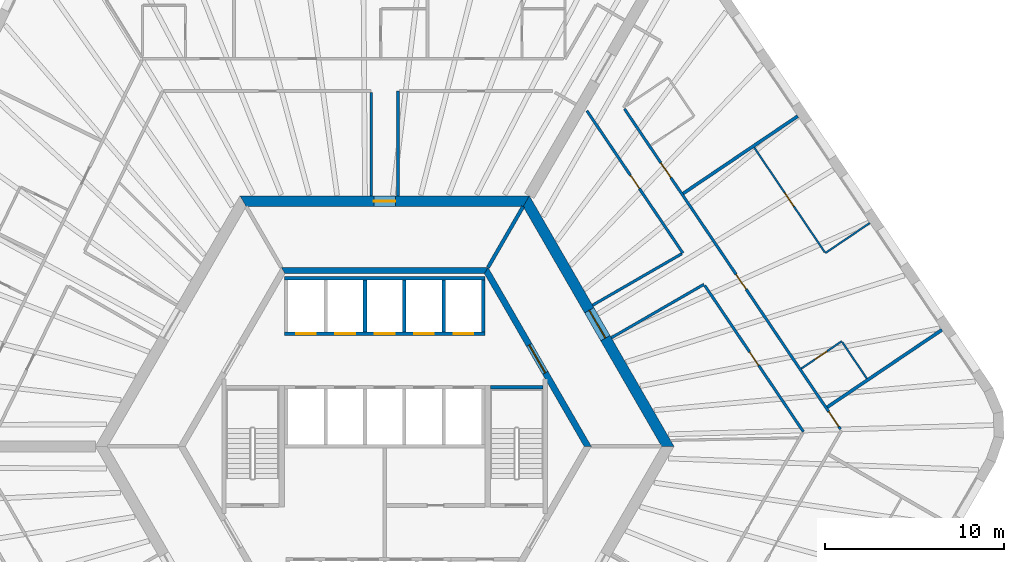
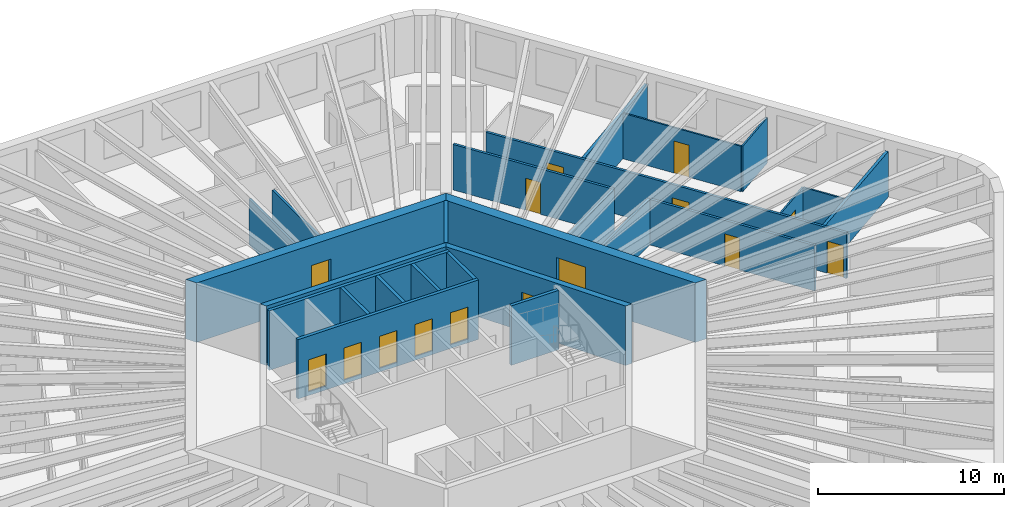
# One storey, part 9 of 12: 25 walls, 15 doors, 15 openings.
"""IFC4 building model written with IfcOpenShell, lengths in metres."""

from ifc_helpers import new_model, si_unit, direction, frame, frame_2d, origin, place, context, subcontext, project, spatial, polyline, rectangle, outline, extrude, material, layer, layer_set, type_object, element, fill, save


model = new_model("IFC4")

# Units and contexts
model_context = context("Model", 3, precision=1e-05, world=origin(), true_north=direction((0.0, 1.0)))
body_context = subcontext(model_context, "Body", "Model", "MODEL_VIEW")
ifc_project = project(units=[si_unit("LENGTHUNIT", "METRE"), si_unit("AREAUNIT", "SQUARE_METRE"), si_unit("VOLUMEUNIT", "CUBIC_METRE"), si_unit("PLANEANGLEUNIT", "RADIAN"), si_unit("MASSUNIT", "GRAM", prefix="KILO")], contexts=[model_context])

# Site, building, storey
site_placement = place(None, origin())
site = spatial("IfcSite", under=ifc_project, at=site_placement, CompositionType="ELEMENT")
building_placement = place(site_placement, origin())
building = spatial("IfcBuilding", under=site, at=building_placement, Name="Tarnside Tower", CompositionType="ELEMENT")
storey_placement = place(building_placement, frame((0.0, 0.0, 88.199951171875)))
storey = spatial("IfcBuildingStorey", under=building, at=storey_placement, Name="L19", CompositionType="ELEMENT", Elevation=88.199951171875)

# Wall, opening, door
ifc_material_1 = material(Name="Gypsum board partition on steel studs", Category="steel")
ifc_layer_1 = layer(ifc_material_1, 0.10009765625)
ifc_layer_set_1 = layer_set([ifc_layer_1], Name="Bathroom wall 100")
wall_type_1 = type_object("IfcWallType", Name="Bathroom wall 100", PredefinedType="PARTITIONING", material=ifc_layer_set_1)
wall_1_placement = place(storey_placement, frame((23.2734375, 4.34619140625, 0.0), z_axis=(0.0, 0.0, 1.0), x_axis=(0.829005477618, 0.559240483226, 0.0)))
wall_1 = element("IfcWall", 1, at=wall_1_placement, inside=storey, type_object=wall_type_1, Name="Bathroom wall 05150", PredefinedType="PARTITIONING", context=body_context, shape_type="SweptSolid", body=[
    extrude(rectangle(XDim=2.72509765625, YDim=0.10009765625, at=frame_2d((1.362548828125, 0.0))), origin(), (0.0, 0.0, 1.0), 2.98779296875),
])
opening_1_placement = place(wall_1_placement, frame((0.925048828125, 0.0, 0.0)))
opening_1 = element("IfcOpeningElement", 2, at=opening_1_placement, cuts=wall_1, Name="Opening D-B1", PredefinedType="OPENING", context=body_context, shape_type="SweptSolid", body=[
    extrude(rectangle(XDim=0.800048828125, YDim=2.10009765625, at=frame_2d((0.39990234375, 1.050048828125))), frame((0.0, 0.06005859375, 0.0), z_axis=(0.0, -1.0, 0.0), x_axis=(1.0, 0.0, 0.0)), (0.0, 0.0, 1.0), 0.1201171875),
])
ifc_material_2 = material(Name="Timber door leaf", Category="wood")
door_type_1 = type_object("IfcDoorType", Name="Bathroom door 800", OperationType="NOTDEFINED", PredefinedType="DOOR", material=ifc_material_2)
door_1_placement = place(opening_1_placement, origin())
door_1 = element("IfcDoor", 3, at=door_1_placement, inside=storey, type_object=door_type_1, Name="Bathroom door 05037", OperationType="SINGLE_SWING_RIGHT", OverallHeight=2.10009765625, OverallWidth=0.800048828125, PredefinedType="DOOR", context=body_context, shape_type="SweptSolid", body=[
    extrude(rectangle(XDim=0.800048828125, YDim=2.10009765625, at=frame_2d((0.39990234375, 1.050048828125))), frame((0.0, 0.02490234375, 0.0), z_axis=(0.0, -1.0, 0.0), x_axis=(1.0, 0.0, 0.0)), (0.0, 0.0, 1.0), 0.050048828125),
])
fill(opening_1, door_1)

# Wall
wall_2_placement = place(storey_placement, frame((25.560546875, 5.82861328125, 0.0), z_axis=(0.0, 0.0, 1.0), x_axis=(0.559249542518, -0.82899936622, 0.0)))
element("IfcWall", 4, at=wall_2_placement, inside=storey, type_object=wall_type_1, Name="Bathroom wall 05151", PredefinedType="PARTITIONING", context=body_context, shape_type="SweptSolid", body=[
    extrude(rectangle(XDim=2.4599609375, YDim=0.10009765625, at=frame_2d((1.22998046875, 0.0))), origin(), (0.0, 0.0, 1.0), 2.98779296875),
])

# Wall, opening, door
ifc_material_3 = material(Name="Concrete C50/60", Category="concrete")
ifc_layer_2 = layer(ifc_material_3, 0.35009765625)
ifc_layer_set_2 = layer_set([ifc_layer_2], Name="Core block wall 350 C50/60")
wall_type_2 = type_object("IfcWallType", Name="Core block wall 350 C50/60", PredefinedType="SHEAR", material=ifc_layer_set_2)
wall_3_placement = place(storey_placement, frame((11.344970703125, 0.0, -0.14990234375), z_axis=(0.0, 0.0, 1.0), x_axis=(-0.499995046907, 0.866028263435, 0.0)))
wall_3 = element("IfcWall", 5, at=wall_3_placement, inside=storey, type_object=wall_type_2, Name="L19 core block wall face 6", PredefinedType="SHEAR", context=body_context, shape_type="SweptSolid", body=[
    extrude(outline(polyline([(-0.10107421875, -0.175048828125), (11.44580078125, -0.175048828125), (11.24365234375, 0.175048828125), (0.10107421875, 0.175048828125), (-0.10107421875, -0.175048828125)])), origin(), (0.0, 0.0, 1.0), 3.89990234375),
])
opening_2_placement = place(wall_3_placement, frame((4.74365234375, 0.0, 0.14990234375)))
opening_2 = element("IfcOpeningElement", 6, at=opening_2_placement, cuts=wall_3, Name="Opening CD-LOB", PredefinedType="OPENING", context=body_context, shape_type="SweptSolid", body=[
    extrude(rectangle(XDim=1.800048828125, YDim=2.39990234375, at=frame_2d((0.89990234375, 1.199951171875))), frame((0.0, 0.18505859375, 0.0), z_axis=(0.0, -1.0, 0.0), x_axis=(1.0, 0.0, 0.0)), (0.0, 0.0, 1.0), 0.3701171875),
])
ifc_material_4 = material(Name="Steel fire door", Category="steel")
door_type_2 = type_object("IfcDoorType", Name="Lobby double door FD30S 1800x2400", OperationType="NOTDEFINED", PredefinedType="DOOR", material=ifc_material_4)
door_2_placement = place(opening_2_placement, origin())
door_2 = element("IfcDoor", 7, at=door_2_placement, inside=storey, type_object=door_type_2, Name="L19 lobby block door P2", OperationType="DOUBLE_DOOR_SINGLE_SWING", OverallHeight=2.39990234375, OverallWidth=1.800048828125, PredefinedType="DOOR", context=body_context, shape_type="SweptSolid", body=[
    extrude(rectangle(XDim=1.800048828125, YDim=2.39990234375, at=frame_2d((0.89990234375, 1.199951171875))), frame((0.0, 0.02490234375, 0.0), z_axis=(0.0, -1.0, 0.0), x_axis=(1.0, 0.0, 0.0)), (0.0, 0.0, 1.0), 0.050048828125),
])
fill(opening_2, door_2)

# Wall
wall_4_placement = place(storey_placement, frame((5.672607421875, 9.824951171875, -0.14990234375), z_axis=(0.0, 0.0, 1.0), x_axis=(-1.0, 0.0, 0.0)))
element("IfcWall", 8, at=wall_4_placement, inside=storey, type_object=wall_type_2, Name="L19 core block wall face 1", PredefinedType="SHEAR", context=body_context, shape_type="SweptSolid", body=[
    extrude(outline(polyline([(-0.10107421875, -0.175048828125), (11.4462890625, -0.175048828125), (11.244140625, 0.175048828125), (0.10107421875, 0.175048828125), (-0.10107421875, -0.175048828125)])), origin(), (0.0, 0.0, 1.0), 3.89990234375),
])

# Wall, opening, door
ifc_material_5 = material(Name="Concrete C80/95", Category="concrete")
ifc_layer_3 = layer(ifc_material_5, 0.60009765625)
ifc_layer_set_3 = layer_set([ifc_layer_3], Name="Core wall Z1 600 C80/95")
wall_type_3 = type_object("IfcWallType", Name="Core wall Z1 600 C80/95", PredefinedType="SHEAR", material=ifc_layer_set_3)
wall_5_placement = place(storey_placement, frame((15.8193359375, 0.0, -0.14990234375), z_axis=(0.0, 0.0, 1.0), x_axis=(-0.499999880136, 0.866025472988, 0.0)))
wall_5 = element("IfcWall", 9, at=wall_5_placement, inside=storey, type_object=wall_type_3, Name="L19 core wall face 6", PredefinedType="SHEAR", context=body_context, shape_type="SweptSolid", body=[
    extrude(outline(polyline([(-0.17333984375, -0.300048828125), (15.99267578125, -0.300048828125), (15.64599609375, 0.300048828125), (0.17333984375, 0.300048828125), (-0.17333984375, -0.300048828125)])), origin(), (0.0, 0.0, 1.0), 3.89990234375),
])
opening_3_placement = place(wall_5_placement, frame((6.980712890625, 0.0, 0.14990234375)))
opening_3 = element("IfcOpeningElement", 10, at=opening_3_placement, cuts=wall_5, Name="Opening CD-LOB", PredefinedType="OPENING", context=body_context, shape_type="SweptSolid", body=[
    extrude(rectangle(XDim=1.800048828125, YDim=2.39990234375, at=frame_2d((0.89990234375, 1.199951171875))), frame((0.0, 0.31005859375, 0.0), z_axis=(0.0, -1.0, 0.0), x_axis=(1.0, 0.0, 0.0)), (0.0, 0.0, 1.0), 0.6201171875),
])
door_3_placement = place(opening_3_placement, origin())
door_3 = element("IfcDoor", 11, at=door_3_placement, inside=storey, type_object=door_type_2, Name="L19 core door P2", OperationType="DOUBLE_DOOR_SINGLE_SWING", OverallHeight=2.39990234375, OverallWidth=1.800048828125, PredefinedType="DOOR", context=body_context, shape_type="SweptSolid", body=[
    extrude(rectangle(XDim=1.800048828125, YDim=2.39990234375, at=frame_2d((0.89990234375, 1.199951171875))), frame((0.0, 0.02490234375, 0.0), z_axis=(0.0, -1.0, 0.0), x_axis=(1.0, 0.0, 0.0)), (0.0, 0.0, 1.0), 0.050048828125),
])
fill(opening_3, door_3)

wall_6_placement = place(storey_placement, frame((7.90966796875, 13.699951171875, -0.14990234375), z_axis=(0.0, 0.0, 1.0), x_axis=(-1.0, 0.0, 0.0)))
wall_6 = element("IfcWall", 12, at=wall_6_placement, inside=storey, type_object=wall_type_3, Name="L19 core wall face 1", PredefinedType="SHEAR", context=body_context, shape_type="SweptSolid", body=[
    extrude(outline(polyline([(-0.17333984375, -0.300048828125), (15.99267578125, -0.300048828125), (15.64599609375, 0.300048828125), (0.17333984375, 0.300048828125), (-0.17333984375, -0.300048828125)])), origin(), (0.0, 0.0, 1.0), 3.89990234375),
])
opening_4_placement = place(wall_6_placement, frame((7.309814453125, 0.0, 0.14990234375)))
opening_4 = element("IfcOpeningElement", 13, at=opening_4_placement, cuts=wall_6, Name="Opening CD-RSR", PredefinedType="OPENING", context=body_context, shape_type="SweptSolid", body=[
    extrude(rectangle(XDim=1.199951171875, YDim=2.39990234375, at=frame_2d((0.60009765625, 1.199951171875))), frame((0.0, 0.31005859375, 0.0), z_axis=(0.0, -1.0, 0.0), x_axis=(1.0, 0.0, 0.0)), (0.0, 0.0, 1.0), 0.6201171875),
])
door_type_3 = type_object("IfcDoorType", Name="Riser door FD60 1200x2400", OperationType="NOTDEFINED", PredefinedType="DOOR", material=ifc_material_4)
door_4_placement = place(opening_4_placement, origin())
door_4 = element("IfcDoor", 14, at=door_4_placement, inside=storey, type_object=door_type_3, Name="L19 core door S5", OperationType="SINGLE_SWING_LEFT", OverallHeight=2.39990234375, OverallWidth=1.199951171875, PredefinedType="DOOR", context=body_context, shape_type="SweptSolid", body=[
    extrude(rectangle(XDim=1.199951171875, YDim=2.39990234375, at=frame_2d((0.60009765625, 1.199951171875))), frame((0.0, 0.02490234375, 0.0), z_axis=(0.0, -1.0, 0.0), x_axis=(1.0, 0.0, 0.0)), (0.0, 0.0, 1.0), 0.050048828125),
])
fill(opening_4, door_4)

# Walls
ifc_layer_4 = layer(ifc_material_1, 0.14990234375)
ifc_layer_set_4 = layer_set([ifc_layer_4], Name="Corridor wall 150 EI 60")
wall_type_4 = type_object("IfcWallType", Name="Corridor wall 150 EI 60", PredefinedType="PARTITIONING", material=ifc_layer_set_4)
wall_7_placement = place(storey_placement, frame((-0.75, 19.77490234375, 0.0), z_axis=(0.0, 0.0, 1.0), x_axis=(0.0, -1.0, 0.0)))
element("IfcWall", 15, at=wall_7_placement, inside=storey, type_object=wall_type_4, Name="Corridor wall 05019", PredefinedType="PARTITIONING", context=body_context, shape_type="SweptSolid", body=[
    extrude(rectangle(XDim=5.77490234375, YDim=0.14990234375, at=frame_2d((2.887451171875, 0.0))), origin(), (0.0, 0.0, 1.0), 2.98779296875),
])
wall_8_placement = place(storey_placement, frame((0.75, 14.0, 0.0), z_axis=(0.0, 0.0, 1.0), x_axis=(0.0, 1.0, 0.0)))
element("IfcWall", 16, at=wall_8_placement, inside=storey, type_object=wall_type_4, Name="Corridor wall 05022", PredefinedType="PARTITIONING", context=body_context, shape_type="SweptSolid", body=[
    extrude(rectangle(XDim=5.85009765625, YDim=0.14990234375, at=frame_2d((2.925048828125, 0.0))), origin(), (0.0, 0.0, 1.0), 2.98779296875),
])

# Wall, openings, doors
wall_9_placement = place(storey_placement, frame((25.467041015625, 0.960205078125, 0.0), z_axis=(0.0, 0.0, 1.0), x_axis=(-0.559192112521, 0.829038106057, 0.0)))
wall_9 = element("IfcWall", 17, at=wall_9_placement, inside=storey, type_object=wall_type_4, Name="Corridor wall 05062", PredefinedType="PARTITIONING", context=body_context, shape_type="SweptSolid", body=[
    extrude(rectangle(XDim=21.58447265625, YDim=0.14990234375, at=frame_2d((10.792236328125, 0.0))), origin(), (0.0, 0.0, 1.0), 2.98779296875),
])
opening_5_placement = place(wall_9_placement, frame((0.183837890625, 0.0, 0.0)))
opening_5 = element("IfcOpeningElement", 18, at=opening_5_placement, cuts=wall_9, Name="Opening D-E1", PredefinedType="OPENING", context=body_context, shape_type="SweptSolid", body=[
    extrude(rectangle(XDim=1.0, YDim=2.10009765625, at=frame_2d((0.5, 1.050048828125))), frame((0.0, 0.0849609375, 0.0), z_axis=(0.0, -1.0, 0.0), x_axis=(1.0, 0.0, 0.0)), (0.0, 0.0, 1.0), 0.169921875),
])
opening_6_placement = place(wall_9_placement, frame((9.433837890625, 0.0, 0.0)))
opening_6 = element("IfcOpeningElement", 19, at=opening_6_placement, cuts=wall_9, Name="Opening D-E1", PredefinedType="OPENING", context=body_context, shape_type="SweptSolid", body=[
    extrude(rectangle(XDim=1.0, YDim=2.10009765625, at=frame_2d((0.5, 1.050048828125))), frame((0.0, 0.0849609375, 0.0), z_axis=(0.0, -1.0, 0.0), x_axis=(1.0, 0.0, 0.0)), (0.0, 0.0, 1.0), 0.169921875),
])
opening_7_placement = place(wall_9_placement, frame((16.950927734375, 0.0, 0.0)))
opening_7 = element("IfcOpeningElement", 20, at=opening_7_placement, cuts=wall_9, Name="Opening D-E1", PredefinedType="OPENING", context=body_context, shape_type="SweptSolid", body=[
    extrude(rectangle(XDim=1.0, YDim=2.10009765625, at=frame_2d((0.5, 1.050048828125))), frame((0.0, 0.0849609375, 0.0), z_axis=(0.0, -1.0, 0.0), x_axis=(1.0, 0.0, 0.0)), (0.0, 0.0, 1.0), 0.169921875),
])
door_type_4 = type_object("IfcDoorType", Name="Unit entrance door 1000 FD30S", OperationType="NOTDEFINED", PredefinedType="DOOR", material=ifc_material_2)
door_5_placement = place(opening_5_placement, origin())
door_5 = element("IfcDoor", 21, at=door_5_placement, inside=storey, type_object=door_type_4, Name="Unit door 05035", OperationType="SINGLE_SWING_RIGHT", OverallHeight=2.10009765625, OverallWidth=1.0, PredefinedType="DOOR", context=body_context, shape_type="SweptSolid", body=[
    extrude(rectangle(XDim=1.0, YDim=2.10009765625, at=frame_2d((0.5, 1.050048828125))), frame((0.0, 0.02490234375, 0.0), z_axis=(0.0, -1.0, 0.0), x_axis=(1.0, 0.0, 0.0)), (0.0, 0.0, 1.0), 0.050048828125),
])
fill(opening_5, door_5)
door_6_placement = place(opening_6_placement, origin())
door_6 = element("IfcDoor", 22, at=door_6_placement, inside=storey, type_object=door_type_4, Name="Unit door 05036", OperationType="SINGLE_SWING_LEFT", OverallHeight=2.10009765625, OverallWidth=1.0, PredefinedType="DOOR", context=body_context, shape_type="SweptSolid", body=[
    extrude(rectangle(XDim=1.0, YDim=2.10009765625, at=frame_2d((0.5, 1.050048828125))), frame((0.0, 0.02490234375, 0.0), z_axis=(0.0, -1.0, 0.0), x_axis=(1.0, 0.0, 0.0)), (0.0, 0.0, 1.0), 0.050048828125),
])
fill(opening_6, door_6)
door_7_placement = place(opening_7_placement, origin())
door_7 = element("IfcDoor", 23, at=door_7_placement, inside=storey, type_object=door_type_4, Name="Unit door 05039", OperationType="SINGLE_SWING_RIGHT", OverallHeight=2.10009765625, OverallWidth=1.0, PredefinedType="DOOR", context=body_context, shape_type="SweptSolid", body=[
    extrude(rectangle(XDim=1.0, YDim=2.10009765625, at=frame_2d((0.5, 1.050048828125))), frame((0.0, 0.02490234375, 0.0), z_axis=(0.0, -1.0, 0.0), x_axis=(1.0, 0.0, 0.0)), (0.0, 0.0, 1.0), 0.050048828125),
])
fill(opening_7, door_7)

# Wall
wall_10_placement = place(storey_placement, frame((12.663818359375, 6.065673828125, 0.0), z_axis=(0.0, 0.0, 1.0), x_axis=(0.866018848283, 0.500011354289, 0.0)))
element("IfcWall", 24, at=wall_10_placement, inside=storey, type_object=wall_type_4, Name="Corridor wall 05071", PredefinedType="PARTITIONING", context=body_context, shape_type="SweptSolid", body=[
    extrude(rectangle(XDim=5.973876953125, YDim=0.14990234375, at=frame_2d((2.98681640625, 0.0))), origin(), (0.0, 0.0, 1.0), 2.98779296875),
])

# Wall, opening, door
wall_11_placement = place(storey_placement, frame((17.87939453125, 8.990234375, 0.0), z_axis=(0.0, 0.0, 1.0), x_axis=(0.559189565351, -0.829039824136, 0.0)))
wall_11 = element("IfcWall", 25, at=wall_11_placement, inside=storey, type_object=wall_type_4, Name="Corridor wall 05072", PredefinedType="PARTITIONING", context=body_context, shape_type="SweptSolid", body=[
    extrude(rectangle(XDim=9.85888671875, YDim=0.14990234375, at=frame_2d((4.929443359375, 0.0))), origin(), (0.0, 0.0, 1.0), 2.98779296875),
])
opening_8_placement = place(wall_11_placement, frame((4.4794921875, 0.0, 0.0)))
opening_8 = element("IfcOpeningElement", 26, at=opening_8_placement, cuts=wall_11, Name="Opening D-S1", PredefinedType="OPENING", context=body_context, shape_type="SweptSolid", body=[
    extrude(rectangle(XDim=0.89990234375, YDim=2.10009765625, at=frame_2d((0.449951171875, 1.050048828125))), frame((0.0, 0.0849609375, 0.0), z_axis=(0.0, -1.0, 0.0), x_axis=(1.0, 0.0, 0.0)), (0.0, 0.0, 1.0), 0.169921875),
])
door_type_5 = type_object("IfcDoorType", Name="Service room door 900 FD30S", OperationType="NOTDEFINED", PredefinedType="DOOR", material=ifc_material_2)
door_8_placement = place(opening_8_placement, origin())
door_8 = element("IfcDoor", 27, at=door_8_placement, inside=storey, type_object=door_type_5, Name="Service door 05050", OperationType="SINGLE_SWING_RIGHT", OverallHeight=2.10009765625, OverallWidth=0.89990234375, PredefinedType="DOOR", context=body_context, shape_type="SweptSolid", body=[
    extrude(rectangle(XDim=0.89990234375, YDim=2.10009765625, at=frame_2d((0.449951171875, 1.050048828125))), frame((0.0, 0.02490234375, 0.0), z_axis=(0.0, -1.0, 0.0), x_axis=(1.0, 0.0, 0.0)), (0.0, 0.0, 1.0), 0.050048828125),
])
fill(opening_8, door_8)

wall_12_placement = place(storey_placement, frame((11.297607421875, 18.748046875, 0.0), z_axis=(0.0, 0.0, 1.0), x_axis=(0.559198234291, -0.829033976847, 0.0)))
wall_12 = element("IfcWall", 28, at=wall_12_placement, inside=storey, type_object=wall_type_4, Name="Corridor wall 05077", PredefinedType="PARTITIONING", context=body_context, shape_type="SweptSolid", body=[
    extrude(rectangle(XDim=9.589599609375, YDim=0.14990234375, at=frame_2d((4.794921875, 0.0))), origin(), (0.0, 0.0, 1.0), 2.98779296875),
])
opening_9_placement = place(wall_12_placement, frame((4.3447265625, 0.0, 0.0)))
opening_9 = element("IfcOpeningElement", 29, at=opening_9_placement, cuts=wall_12, Name="Opening D-S1", PredefinedType="OPENING", context=body_context, shape_type="SweptSolid", body=[
    extrude(rectangle(XDim=0.89990234375, YDim=2.10009765625, at=frame_2d((0.449951171875, 1.050048828125))), frame((0.0, 0.0849609375, 0.0), z_axis=(0.0, -1.0, 0.0), x_axis=(1.0, 0.0, 0.0)), (0.0, 0.0, 1.0), 0.169921875),
])
door_9_placement = place(opening_9_placement, origin())
door_9 = element("IfcDoor", 30, at=door_9_placement, inside=storey, type_object=door_type_5, Name="Service door 05052", OperationType="SINGLE_SWING_RIGHT", OverallHeight=2.10009765625, OverallWidth=0.89990234375, PredefinedType="DOOR", context=body_context, shape_type="SweptSolid", body=[
    extrude(rectangle(XDim=0.89990234375, YDim=2.10009765625, at=frame_2d((0.449951171875, 1.050048828125))), frame((0.0, 0.02490234375, 0.0), z_axis=(0.0, -1.0, 0.0), x_axis=(1.0, 0.0, 0.0)), (0.0, 0.0, 1.0), 0.050048828125),
])
fill(opening_9, door_9)

# Walls
wall_13_placement = place(storey_placement, frame((16.594970703125, 10.76025390625, 0.0), z_axis=(0.0, 0.0, 1.0), x_axis=(-0.866019477104, -0.500010265171, 0.0)))
element("IfcWall", 31, at=wall_13_placement, inside=storey, type_object=wall_type_4, Name="Corridor wall 05078", PredefinedType="PARTITIONING", context=body_context, shape_type="SweptSolid", body=[
    extrude(rectangle(XDim=5.751953125, YDim=0.14990234375, at=frame_2d((2.8759765625, 0.0))), origin(), (0.0, 0.0, 1.0), 2.98779296875),
])
ifc_layer_5 = layer(ifc_material_1, 0.179931640625)
ifc_layer_set_5 = layer_set([ifc_layer_5], Name="Demising wall 180 EI 60")
wall_type_5 = type_object("IfcWallType", Name="Demising wall 180 EI 60", PredefinedType="PARTITIONING", material=ifc_layer_set_5)
wall_14_placement = place(storey_placement, frame((31.131591796875, 6.510498046875, 0.0), z_axis=(0.0, 0.0, 1.0), x_axis=(-0.829047937134, -0.559177537043, 0.0)))
element("IfcWall", 32, at=wall_14_placement, inside=storey, type_object=wall_type_5, Name="Demising wall 05148", PredefinedType="PARTITIONING", context=body_context, shape_type="SweptSolid", body=[
    extrude(rectangle(XDim=7.724853515625, YDim=0.179931640625, at=frame_2d((3.8623046875, 0.0))), origin(), (0.0, 0.0, 1.0), 2.98779296875),
])
wall_15_placement = place(storey_placement, frame((23.079345703125, 18.44873046875, 0.0), z_axis=(0.0, 0.0, 1.0), x_axis=(-0.82903328576, -0.559199258853, 0.0)))
element("IfcWall", 33, at=wall_15_placement, inside=storey, type_object=wall_type_5, Name="Demising wall 05154", PredefinedType="PARTITIONING", context=body_context, shape_type="SweptSolid", body=[
    extrude(rectangle(XDim=7.72509765625, YDim=0.179931640625, at=frame_2d((3.862548828125, 0.0))), origin(), (0.0, 0.0, 1.0), 2.98779296875),
])

# Wall, openings, doors
ifc_material_6 = material(Name="Concrete C40/50", Category="concrete")
ifc_layer_6 = layer(ifc_material_6, 0.199951171875)
ifc_layer_set_6 = layer_set([ifc_layer_6], Name="Lift shaft wall 200 C40/50")
wall_type_6 = type_object("IfcWallType", Name="Lift shaft wall 200 C40/50", PredefinedType="SHEAR", material=ifc_layer_set_6)
wall_16_placement = place(storey_placement, frame((-5.60009765625, 6.300048828125, -0.25), z_axis=(0.0, 0.0, 1.0), x_axis=(1.0, 0.0, 0.0)))
wall_16 = element("IfcWall", 34, at=wall_16_placement, inside=storey, type_object=wall_type_6, Name="L19 lift shaft front wall R1", PredefinedType="SHEAR", context=body_context, shape_type="SweptSolid", body=[
    extrude(rectangle(XDim=11.2001953125, YDim=0.199951171875, at=frame_2d((5.60009765625, 0.0))), origin(), (0.0, 0.0, 1.0), 3.900146484375),
])
opening_10_placement = place(wall_16_placement, frame((0.64990234375, 0.0, 0.25)))
opening_10 = element("IfcOpeningElement", 35, at=opening_10_placement, cuts=wall_16, Name="Opening LD", PredefinedType="OPENING", context=body_context, shape_type="SweptSolid", body=[
    extrude(rectangle(XDim=1.10009765625, YDim=2.10009765625, at=frame_2d((0.550048828125, 1.050048828125))), frame((0.0, 0.10986328125, 0.0), z_axis=(0.0, -1.0, 0.0), x_axis=(1.0, 0.0, 0.0)), (0.0, 0.0, 1.0), 0.219970703125),
])
opening_11_placement = place(wall_16_placement, frame((2.85009765625, 0.0, 0.25)))
opening_11 = element("IfcOpeningElement", 36, at=opening_11_placement, cuts=wall_16, Name="Opening LD", PredefinedType="OPENING", context=body_context, shape_type="SweptSolid", body=[
    extrude(rectangle(XDim=1.10009765625, YDim=2.10009765625, at=frame_2d((0.550048828125, 1.050048828125))), frame((0.0, 0.10986328125, 0.0), z_axis=(0.0, -1.0, 0.0), x_axis=(1.0, 0.0, 0.0)), (0.0, 0.0, 1.0), 0.219970703125),
])
opening_12_placement = place(wall_16_placement, frame((5.050048828125, 0.0, 0.25)))
opening_12 = element("IfcOpeningElement", 37, at=opening_12_placement, cuts=wall_16, Name="Opening LD", PredefinedType="OPENING", context=body_context, shape_type="SweptSolid", body=[
    extrude(rectangle(XDim=1.10009765625, YDim=2.10009765625, at=frame_2d((0.550048828125, 1.050048828125))), frame((0.0, 0.10986328125, 0.0), z_axis=(0.0, -1.0, 0.0), x_axis=(1.0, 0.0, 0.0)), (0.0, 0.0, 1.0), 0.219970703125),
])
opening_13_placement = place(wall_16_placement, frame((7.25, 0.0, 0.25)))
opening_13 = element("IfcOpeningElement", 38, at=opening_13_placement, cuts=wall_16, Name="Opening LD", PredefinedType="OPENING", context=body_context, shape_type="SweptSolid", body=[
    extrude(rectangle(XDim=1.10009765625, YDim=2.10009765625, at=frame_2d((0.550048828125, 1.050048828125))), frame((0.0, 0.10986328125, 0.0), z_axis=(0.0, -1.0, 0.0), x_axis=(1.0, 0.0, 0.0)), (0.0, 0.0, 1.0), 0.219970703125),
])
opening_14_placement = place(wall_16_placement, frame((9.449951171875, 0.0, 0.25)))
opening_14 = element("IfcOpeningElement", 39, at=opening_14_placement, cuts=wall_16, Name="Opening LD", PredefinedType="OPENING", context=body_context, shape_type="SweptSolid", body=[
    extrude(rectangle(XDim=1.10009765625, YDim=2.10009765625, at=frame_2d((0.550048828125, 1.050048828125))), frame((0.0, 0.10986328125, 0.0), z_axis=(0.0, -1.0, 0.0), x_axis=(1.0, 0.0, 0.0)), (0.0, 0.0, 1.0), 0.219970703125),
])
ifc_material_7 = material(Name="Stainless steel", Category="steel")
door_type_6 = type_object("IfcDoorType", Name="Lift landing door 1100x2100", OperationType="NOTDEFINED", PredefinedType="DOOR", material=ifc_material_7)
door_10_placement = place(opening_10_placement, origin())
door_10 = element("IfcDoor", 40, at=door_10_placement, inside=storey, type_object=door_type_6, Name="Low-rise lift 1 landing door L19", OperationType="SLIDING_TO_LEFT", OverallHeight=2.10009765625, OverallWidth=1.10009765625, PredefinedType="DOOR", context=body_context, shape_type="SweptSolid", body=[
    extrude(rectangle(XDim=1.10009765625, YDim=2.10009765625, at=frame_2d((0.550048828125, 1.050048828125))), frame((0.0, 0.02490234375, 0.0), z_axis=(0.0, -1.0, 0.0), x_axis=(1.0, 0.0, 0.0)), (0.0, 0.0, 1.0), 0.050048828125),
])
fill(opening_10, door_10)
door_11_placement = place(opening_11_placement, origin())
door_11 = element("IfcDoor", 41, at=door_11_placement, inside=storey, type_object=door_type_6, Name="Low-rise lift 2 landing door L19", OperationType="SLIDING_TO_LEFT", OverallHeight=2.10009765625, OverallWidth=1.10009765625, PredefinedType="DOOR", context=body_context, shape_type="SweptSolid", body=[
    extrude(rectangle(XDim=1.10009765625, YDim=2.10009765625, at=frame_2d((0.550048828125, 1.050048828125))), frame((0.0, 0.02490234375, 0.0), z_axis=(0.0, -1.0, 0.0), x_axis=(1.0, 0.0, 0.0)), (0.0, 0.0, 1.0), 0.050048828125),
])
fill(opening_11, door_11)
door_12_placement = place(opening_12_placement, origin())
door_12 = element("IfcDoor", 42, at=door_12_placement, inside=storey, type_object=door_type_6, Name="Low-rise lift 3 landing door L19", OperationType="SLIDING_TO_LEFT", OverallHeight=2.10009765625, OverallWidth=1.10009765625, PredefinedType="DOOR", context=body_context, shape_type="SweptSolid", body=[
    extrude(rectangle(XDim=1.10009765625, YDim=2.10009765625, at=frame_2d((0.550048828125, 1.050048828125))), frame((0.0, 0.02490234375, 0.0), z_axis=(0.0, -1.0, 0.0), x_axis=(1.0, 0.0, 0.0)), (0.0, 0.0, 1.0), 0.050048828125),
])
fill(opening_12, door_12)
door_13_placement = place(opening_13_placement, origin())
door_13 = element("IfcDoor", 43, at=door_13_placement, inside=storey, type_object=door_type_6, Name="Low sky-lobby shuttle 1 landing door L19", OperationType="SLIDING_TO_LEFT", OverallHeight=2.10009765625, OverallWidth=1.10009765625, PredefinedType="DOOR", context=body_context, shape_type="SweptSolid", body=[
    extrude(rectangle(XDim=1.10009765625, YDim=2.10009765625, at=frame_2d((0.550048828125, 1.050048828125))), frame((0.0, 0.02490234375, 0.0), z_axis=(0.0, -1.0, 0.0), x_axis=(1.0, 0.0, 0.0)), (0.0, 0.0, 1.0), 0.050048828125),
])
fill(opening_13, door_13)
door_14_placement = place(opening_14_placement, origin())
door_14 = element("IfcDoor", 44, at=door_14_placement, inside=storey, type_object=door_type_6, Name="Low sky-lobby shuttle 2 landing door L19", OperationType="SLIDING_TO_LEFT", OverallHeight=2.10009765625, OverallWidth=1.10009765625, PredefinedType="DOOR", context=body_context, shape_type="SweptSolid", body=[
    extrude(rectangle(XDim=1.10009765625, YDim=2.10009765625, at=frame_2d((0.550048828125, 1.050048828125))), frame((0.0, 0.02490234375, 0.0), z_axis=(0.0, -1.0, 0.0), x_axis=(1.0, 0.0, 0.0)), (0.0, 0.0, 1.0), 0.050048828125),
])
fill(opening_14, door_14)

# Walls
wall_17_placement = place(storey_placement, frame((-5.60009765625, 9.39990234375, -0.25), z_axis=(0.0, 0.0, 1.0), x_axis=(1.0, 0.0, 0.0)))
element("IfcWall", 45, at=wall_17_placement, inside=storey, type_object=wall_type_6, Name="L19 lift shaft back wall R1", PredefinedType="SHEAR", context=body_context, shape_type="SweptSolid", body=[
    extrude(rectangle(XDim=11.2001953125, YDim=0.199951171875, at=frame_2d((5.60009765625, 0.0))), origin(), (0.0, 0.0, 1.0), 3.900146484375),
])
for number, where, z_axis, x_axis, name in (
    (46, (-1.10009765625, 6.39990234375, -0.25), (0.0, 0.0, 1.0), (0.0, 1.0, 0.0), "L19 lift shaft partition R13"),
    (47, (1.10009765625, 6.39990234375, -0.25), (0.0, 0.0, 1.0), (0.0, 1.0, 0.0), "L19 lift shaft partition R14"),
    (48, (3.300048828125, 6.39990234375, -0.25), (0.0, 0.0, 1.0), (0.0, 1.0, 0.0), "L19 lift shaft partition R15"),
    (49, (5.5, 6.39990234375, -0.25), (0.0, 0.0, 1.0), (0.0, 1.0, 0.0), "L19 lift shaft partition R16"),
):
    element("IfcWall", number, at=place(storey_placement, frame(where, z_axis=z_axis, x_axis=x_axis)), inside=storey, type_object=wall_type_6, Name=name, PredefinedType="SHEAR", context=body_context, shape_type="SweptSolid", body=[
        extrude(rectangle(XDim=2.900146484375, YDim=0.199951171875, at=frame_2d((1.4501953125, 0.0))), origin(), (0.0, 0.0, 1.0), 3.900146484375),
    ])
wall_18_placement = place(storey_placement, frame((5.7734375, 10.0, -0.14990234375), z_axis=(0.0, 0.0, 1.0), x_axis=(0.500038251005, 0.86600331843, 0.0)))
element("IfcWall", 50, at=wall_18_placement, inside=storey, type_object=wall_type_6, Name="L19 core partition AR60", PredefinedType="SHEAR", context=body_context, shape_type="SweptSolid", body=[
    extrude(rectangle(XDim=3.926025390625, YDim=0.199951171875, at=frame_2d((1.962890625, 0.0))), origin(), (0.0, 0.0, 1.0), 3.89990234375),
])
wall_19_placement = place(storey_placement, frame((5.89990234375, 3.300048828125, -0.25), z_axis=(0.0, 0.0, 1.0), x_axis=(1.0, 0.0, 0.0)))
element("IfcWall", 51, at=wall_19_placement, inside=storey, type_object=wall_type_6, Name="L19 stair 1 enclosure cap wall n", PredefinedType="SHEAR", context=body_context, shape_type="SweptSolid", body=[
    extrude(rectangle(XDim=2.9501953125, YDim=0.199951171875, at=frame_2d((1.47509765625, 0.0))), origin(), (0.0, 0.0, 1.0), 3.900146484375),
])
ifc_layer_7 = layer(ifc_material_1, 0.10009765625)
ifc_layer_set_7 = layer_set([ifc_layer_7], Name="Partition 100")
wall_type_7 = type_object("IfcWallType", Name="Partition 100", PredefinedType="PARTITIONING", material=ifc_layer_set_7)
wall_20_placement = place(storey_placement, frame((27.10546875, 12.479736328125, 0.0), z_axis=(0.0, 0.0, 1.0), x_axis=(-0.829008079006, -0.559236626968, 0.0)))
element("IfcWall", 52, at=wall_20_placement, inside=storey, type_object=wall_type_7, Name="Partition wall 05152", PredefinedType="PARTITIONING", context=body_context, shape_type="SweptSolid", body=[
    extrude(rectangle(XDim=3.0, YDim=0.10009765625, at=frame_2d((1.5, 0.0))), origin(), (0.0, 0.0, 1.0), 2.98779296875),
])

# Wall, opening, door
wall_21_placement = place(storey_placement, frame((24.59033203125, 10.843505859375, 0.0), z_axis=(0.0, 0.0, 1.0), x_axis=(-0.559177045947, 0.829048268369, 0.0)))
wall_21 = element("IfcWall", 53, at=wall_21_placement, inside=storey, type_object=wall_type_7, Name="Partition wall 05153", PredefinedType="PARTITIONING", context=body_context, shape_type="SweptSolid", body=[
    extrude(rectangle(XDim=7.059814453125, YDim=0.10009765625, at=frame_2d((3.52978515625, 0.0))), origin(), (0.0, 0.0, 1.0), 2.98779296875),
])
opening_15_placement = place(wall_21_placement, frame((3.10009765625, 0.0, 0.0)))
opening_15 = element("IfcOpeningElement", 54, at=opening_15_placement, cuts=wall_21, Name="Opening D-I1", PredefinedType="OPENING", context=body_context, shape_type="SweptSolid", body=[
    extrude(rectangle(XDim=0.89990234375, YDim=2.10009765625, at=frame_2d((0.449951171875, 1.050048828125))), frame((0.0, 0.06005859375, 0.0), z_axis=(0.0, -1.0, 0.0), x_axis=(1.0, 0.0, 0.0)), (0.0, 0.0, 1.0), 0.1201171875),
])
door_type_7 = type_object("IfcDoorType", Name="Internal door 900", OperationType="NOTDEFINED", PredefinedType="DOOR", material=ifc_material_2)
door_15_placement = place(opening_15_placement, origin())
door_15 = element("IfcDoor", 55, at=door_15_placement, inside=storey, type_object=door_type_7, Name="Internal door 05038", OperationType="SINGLE_SWING_RIGHT", OverallHeight=2.10009765625, OverallWidth=0.89990234375, PredefinedType="DOOR", context=body_context, shape_type="SweptSolid", body=[
    extrude(rectangle(XDim=0.89990234375, YDim=2.10009765625, at=frame_2d((0.449951171875, 1.050048828125))), frame((0.0, 0.02490234375, 0.0), z_axis=(0.0, -1.0, 0.0), x_axis=(1.0, 0.0, 0.0)), (0.0, 0.0, 1.0), 0.050048828125),
])
fill(opening_15, door_15)

save(model, "model.ifc")
